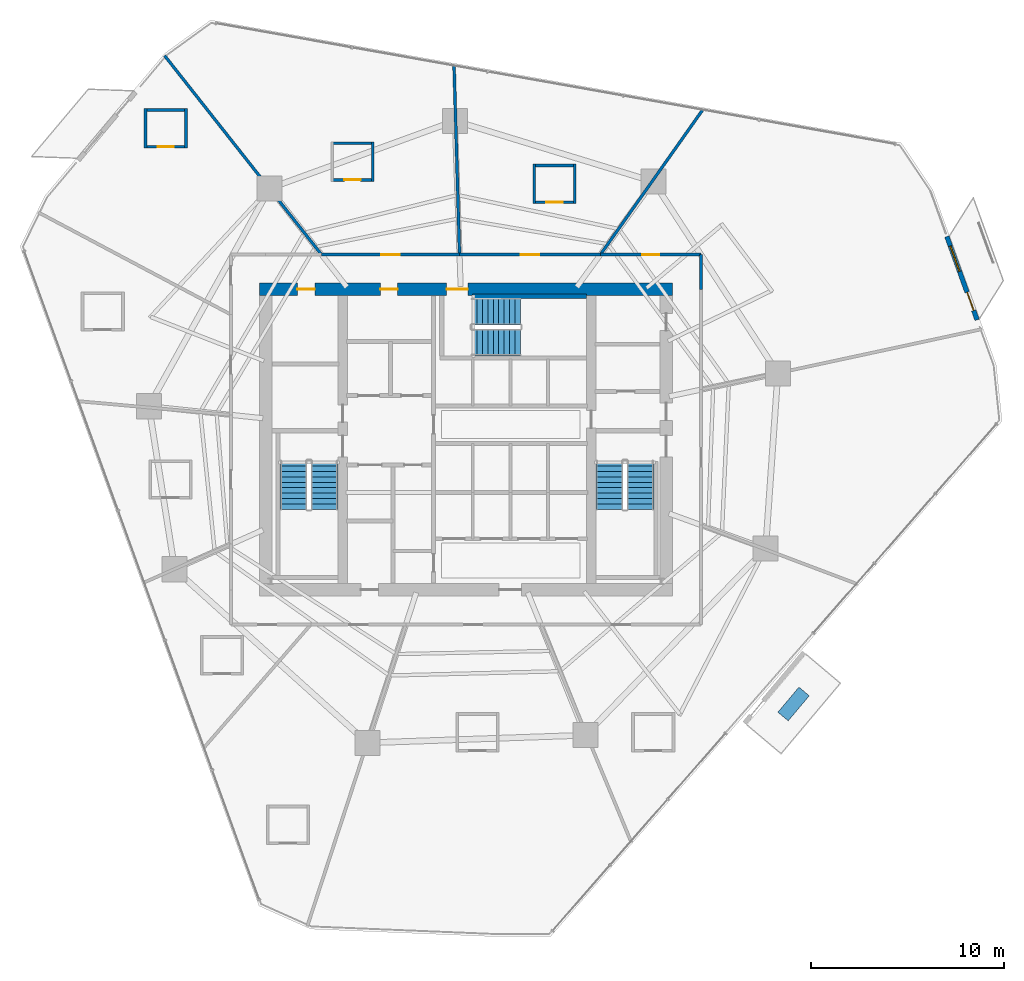
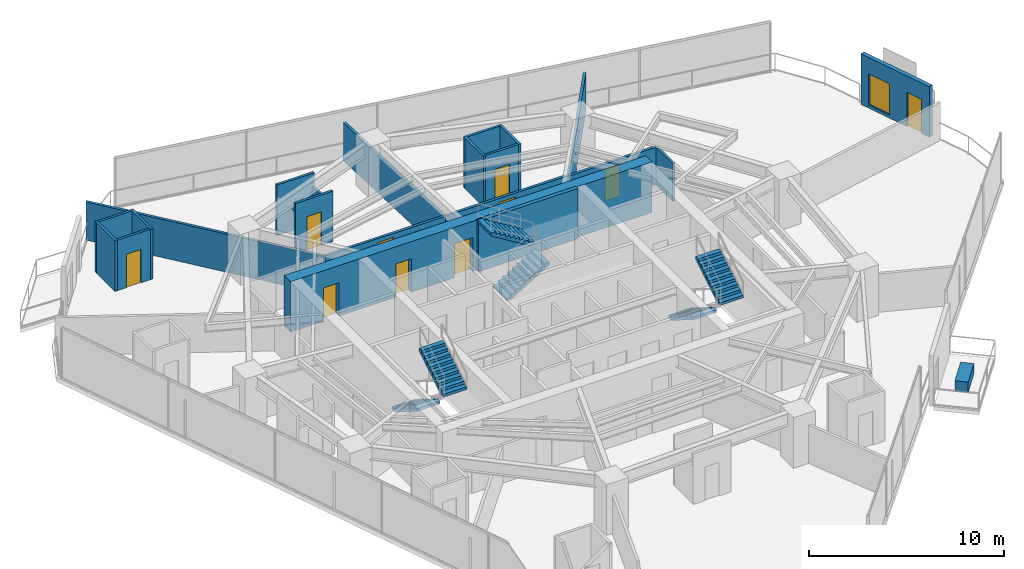
# One storey, part 29 of 33: 21 walls, 10 doors, 6 stair flights, 1 discrete accessory, 1 window, 11 openings, 3 elements without a shape of their own.
"""IFC4 building model written with IfcOpenShell, lengths in metres."""

from ifc_helpers import new_model, si_unit, direction, frame, frame_2d, origin, origin_2d, place, context, subcontext, project, spatial, polyline, rectangle, outline, extrude, material, layer, layer_set, type_object, element, fill, aggregate, save


model = new_model("IFC4")

# Units and contexts
model_context = context("Model", 3, precision=1e-05, world=origin(), true_north=direction((0.0, 1.0)))
body_context = subcontext(model_context, "Body", "Model", "MODEL_VIEW")
ifc_project = project(units=[si_unit("LENGTHUNIT", "METRE"), si_unit("AREAUNIT", "SQUARE_METRE"), si_unit("VOLUMEUNIT", "CUBIC_METRE"), si_unit("PLANEANGLEUNIT", "RADIAN"), si_unit("MASSUNIT", "GRAM", prefix="KILO")], contexts=[model_context])

# Site, building, storey
site_placement = place(None, origin())
site = spatial("IfcSite", under=ifc_project, at=site_placement, CompositionType="ELEMENT")
building_placement = place(site_placement, origin())
building = spatial("IfcBuilding", under=site, at=building_placement, Name="Qarnah Convention Tower", CompositionType="ELEMENT")
storey_placement = place(building_placement, frame((0.0, 0.0, 30.449951171875)))
storey = spatial("IfcBuildingStorey", under=building, at=storey_placement, Name="L06", CompositionType="ELEMENT", Elevation=30.449951171875)

# Wall, openings, doors
ifc_material_1 = material(Name="Concrete C60/75", Category="concrete")
ifc_layer_1 = layer(ifc_material_1, 0.64990234375)
ifc_layer_set_1 = layer_set([ifc_layer_1], Name="Concrete C60/75")
wall_type_1 = type_object("IfcWallType", Name="WL-CORE-650", PredefinedType="SHEAR", material=ifc_layer_set_1)
wall_1_placement = place(storey_placement, frame((26.47509765625, 34.199951171875, 0.0), z_axis=(0.0, 0.0, 1.0), x_axis=(1.0, 0.0, 0.0)))
wall_1 = element("IfcWall", 1, at=wall_1_placement, inside=storey, type_object=wall_type_1, Name="L06 core north shear wall", PredefinedType="SHEAR", context=body_context, shape_type="SweptSolid", body=[
    extrude(rectangle(XDim=21.449951171875, YDim=0.64990234375, at=frame_2d((10.72509765625, 0.0))), origin(), (0.0, 0.0, 1.0), 3.170166015625),
])
opening_1_placement = place(wall_1_placement, frame((9.72509765625, 0.0, 0.0)))
opening_1 = element("IfcOpeningElement", 2, at=opening_1_placement, cuts=wall_1, Name="Opening D-0603", PredefinedType="OPENING", context=body_context, shape_type="SweptSolid", body=[
    extrude(rectangle(XDim=1.10009765625, YDim=2.14990234375, at=frame_2d((0.550048828125, 1.074951171875))), frame((0.0, 0.3349609375, 0.0), z_axis=(0.0, -1.0, 0.0), x_axis=(1.0, 0.0, 0.0)), (0.0, 0.0, 1.0), 0.669921875),
])
opening_2_placement = place(wall_1_placement, frame((1.97509765625, 0.0, 0.0)))
opening_2 = element("IfcOpeningElement", 3, at=opening_2_placement, cuts=wall_1, Name="Opening D-0609", PredefinedType="OPENING", context=body_context, shape_type="SweptSolid", body=[
    extrude(rectangle(XDim=0.89990234375, YDim=2.10009765625, at=frame_2d((0.449951171875, 1.050048828125))), frame((0.0, 0.3349609375, 0.0), z_axis=(0.0, -1.0, 0.0), x_axis=(1.0, 0.0, 0.0)), (0.0, 0.0, 1.0), 0.669921875),
])
opening_3_placement = place(wall_1_placement, frame((6.27490234375, 0.0, 0.0)))
opening_3 = element("IfcOpeningElement", 4, at=opening_3_placement, cuts=wall_1, Name="Opening D-0610", PredefinedType="OPENING", context=body_context, shape_type="SweptSolid", body=[
    extrude(rectangle(XDim=0.89990234375, YDim=2.10009765625, at=frame_2d((0.449951171875, 1.050048828125))), frame((0.0, 0.3349609375, 0.0), z_axis=(0.0, -1.0, 0.0), x_axis=(1.0, 0.0, 0.0)), (0.0, 0.0, 1.0), 0.669921875),
])
ifc_material_2 = material(Name="Structural steel S355JR", Category="steel")
door_type_1 = type_object("IfcDoorType", Name="DT-RISER-900", OperationType="NOTDEFINED", PredefinedType="DOOR", material=ifc_material_2)
door_1_placement = place(opening_2_placement, origin())
door_1 = element("IfcDoor", 5, at=door_1_placement, inside=storey, type_object=door_type_1, Name="Door D-0609", OperationType="SINGLE_SWING_RIGHT", OverallHeight=2.10009765625, OverallWidth=0.89990234375, PredefinedType="DOOR", context=body_context, shape_type="SweptSolid", body=[
    extrude(rectangle(XDim=0.89990234375, YDim=2.10009765625, at=frame_2d((0.449951171875, 1.050048828125))), frame((0.0, 0.02490234375, 0.0), z_axis=(0.0, -1.0, 0.0), x_axis=(1.0, 0.0, 0.0)), (0.0, 0.0, 1.0), 0.050048828125),
])
fill(opening_2, door_1)
door_2_placement = place(opening_3_placement, origin())
door_2 = element("IfcDoor", 6, at=door_2_placement, inside=storey, type_object=door_type_1, Name="Door D-0610", OperationType="SINGLE_SWING_LEFT", OverallHeight=2.10009765625, OverallWidth=0.89990234375, PredefinedType="DOOR", context=body_context, shape_type="SweptSolid", body=[
    extrude(rectangle(XDim=0.89990234375, YDim=2.10009765625, at=frame_2d((0.449951171875, 1.050048828125))), frame((0.0, 0.02490234375, 0.0), z_axis=(0.0, -1.0, 0.0), x_axis=(1.0, 0.0, 0.0)), (0.0, 0.0, 1.0), 0.050048828125),
])
fill(opening_3, door_2)
door_type_2 = type_object("IfcDoorType", Name="DT-STAIR-1100", OperationType="NOTDEFINED", PredefinedType="DOOR", material=ifc_material_2)
door_3_placement = place(opening_1_placement, origin())
door_3 = element("IfcDoor", 7, at=door_3_placement, inside=storey, type_object=door_type_2, Name="Door D-0603", OperationType="SINGLE_SWING_RIGHT", OverallHeight=2.14990234375, OverallWidth=1.10009765625, PredefinedType="DOOR", context=body_context, shape_type="SweptSolid", body=[
    extrude(rectangle(XDim=1.10009765625, YDim=2.14990234375, at=frame_2d((0.550048828125, 1.074951171875))), frame((0.0, 0.02490234375, 0.0), z_axis=(0.0, -1.0, 0.0), x_axis=(1.0, 0.0, 0.0)), (0.0, 0.0, 1.0), 0.050048828125),
])
fill(opening_1, door_3)

# Wall
ifc_layer_2 = layer(ifc_material_1, 0.219970703125)
ifc_layer_set_2 = layer_set([ifc_layer_2], Name="Concrete C60/75")
wall_type_2 = type_object("IfcWallType", Name="WL-CORE-STAIR-220", PredefinedType="SHEAR", material=ifc_layer_set_2)
wall_2_placement = place(storey_placement, frame((37.550048828125, 33.840087890625, 0.0), z_axis=(0.0, 0.0, 1.0), x_axis=(1.0, 0.0, 0.0)))
element("IfcWall", 8, at=wall_2_placement, inside=storey, type_object=wall_type_2, Name="L06 stair shaft shear wall SW-L06-ST3N", PredefinedType="SHEAR", context=body_context, shape_type="SweptSolid", body=[
    extrude(rectangle(XDim=5.89990234375, YDim=0.219970703125, at=frame_2d((2.949951171875, 0.0))), origin(), (0.0, 0.0, 1.0), 3.170166015625),
])

# Wall, openings, door, window
ifc_material_3 = material(Name="Precast concrete C45/55", Category="concrete")
ifc_layer_3 = layer(ifc_material_3, 0.239990234375)
ifc_layer_set_3 = layer_set([ifc_layer_3], Name="Precast concrete C45/55")
wall_type_3 = type_object("IfcWallType", Name="WL-EXT-BAL-240", PredefinedType="SOLIDWALL", material=ifc_layer_set_3)
wall_3_placement = place(storey_placement, frame((62.162109375, 36.93896484375, 0.0), z_axis=(0.0, 0.0, 1.0), x_axis=(0.340813981709, -0.940130751476, 0.0)))
wall_3 = element("IfcWall", 9, at=wall_3_placement, inside=storey, type_object=wall_type_3, Name="L06 loggia threshold wall BAL-L06-C1", PredefinedType="SOLIDWALL", context=body_context, shape_type="SweptSolid", body=[
    extrude(rectangle(XDim=4.600341796875, YDim=0.239990234375, at=frame_2d((2.30029296875, 0.0))), origin(), (0.0, 0.0, 1.0), 3.170166015625),
])
opening_4_placement = place(wall_3_placement, frame((3.080078125, 0.0, 0.0)))
opening_4 = element("IfcOpeningElement", 10, at=opening_4_placement, cuts=wall_3, Name="Opening BD-0601", PredefinedType="OPENING", context=body_context, shape_type="SweptSolid", body=[
    extrude(rectangle(XDim=1.0, YDim=2.14990234375, at=frame_2d((0.5, 1.074951171875))), frame((0.0, 0.1298828125, 0.0), z_axis=(0.0, -1.0, 0.0), x_axis=(1.0, 0.0, 0.0)), (0.0, 0.0, 1.0), 0.260009765625),
])
opening_5_placement = place(wall_3_placement, frame((0.52001953125, 0.0, 0.199951171875)))
opening_5 = element("IfcOpeningElement", 11, at=opening_5_placement, cuts=wall_3, Name="Opening WN4", PredefinedType="OPENING", context=body_context, shape_type="SweptSolid", body=[
    extrude(rectangle(XDim=1.39990234375, YDim=1.949951171875, at=frame_2d((0.699951171875, 0.97509765625))), frame((0.0, 0.1298828125, 0.0), z_axis=(0.0, -1.0, 0.0), x_axis=(1.0, 0.0, 0.0)), (0.0, 0.0, 1.0), 0.260009765625),
])
ifc_material_4 = material(Name="Black anodised aluminium", Category="aluminium")
door_type_3 = type_object("IfcDoorType", Name="DT-BAL-1000", OperationType="NOTDEFINED", PredefinedType="DOOR", material=ifc_material_4)
door_4_placement = place(opening_4_placement, origin())
door_4 = element("IfcDoor", 12, at=door_4_placement, inside=storey, type_object=door_type_3, Name="L06 balcony terrace door BAL-L06-C1", OperationType="SINGLE_SWING_RIGHT", OverallHeight=2.14990234375, OverallWidth=1.0, PredefinedType="DOOR", context=body_context, shape_type="SweptSolid", body=[
    extrude(rectangle(XDim=1.0, YDim=2.14990234375, at=frame_2d((0.5, 1.074951171875))), frame((0.0, 0.02490234375, 0.0), z_axis=(0.0, -1.0, 0.0), x_axis=(1.0, 0.0, 0.0)), (0.0, 0.0, 1.0), 0.050048828125),
])
fill(opening_4, door_4)
ifc_material_5 = material(Name="Tempered Low-E dark glass", Category="glass")
window_type = type_object("IfcWindowType", Name="WT-BAL-1400X2000", PartitioningType="SINGLE_PANEL", PredefinedType="WINDOW", material=ifc_material_5)
window_placement = place(opening_5_placement, origin())
window = element("IfcWindow", 13, at=window_placement, inside=storey, type_object=window_type, Name="Window BW-BAL-L06-C1", OverallHeight=1.949951171875, OverallWidth=1.39990234375, PartitioningType="SINGLE_PANEL", PredefinedType="WINDOW", context=body_context, shape_type="SweptSolid", body=[
    extrude(rectangle(XDim=1.39990234375, YDim=1.949951171875, at=frame_2d((0.699951171875, 0.97509765625))), frame((0.0, 0.030029296875, 0.0), z_axis=(0.0, -1.0, 0.0), x_axis=(1.0, 0.0, 0.0)), (0.0, 0.0, 1.0), 0.06005859375),
])
fill(opening_5, window)

# Wall
ifc_material_6 = material(Name="Gypsum partition board")
ifc_layer_4 = layer(ifc_material_6, 0.14990234375)
ifc_layer_set_4 = layer_set([ifc_layer_4], Name="Gypsum partition board")
wall_type_4 = type_object("IfcWallType", Name="WL-SUITE-150", PredefinedType="PARTITIONING", material=ifc_layer_set_4)
wall_4_placement = place(storey_placement, frame((49.51708984375, 43.56005859375, 0.0), z_axis=(0.0, 0.0, 1.0), x_axis=(-0.577081779109, -0.816686365884, 0.0)))
element("IfcWall", 14, at=wall_4_placement, inside=storey, type_object=wall_type_4, Name="L06 interior wall IW-L06-R-37", PredefinedType="PARTITIONING", context=body_context, shape_type="SweptSolid", body=[
    extrude(rectangle(XDim=9.257080078125, YDim=0.14990234375, at=frame_2d((4.62841796875, 0.0))), origin(), (0.0, 0.0, 1.0), 2.39501953125),
])

# Wall, opening, door
wall_5_placement = place(storey_placement, frame((44.175048828125, 36.0, 0.0), z_axis=(0.0, 0.0, 1.0), x_axis=(1.0, 0.0, 0.0)))
wall_5 = element("IfcWall", 15, at=wall_5_placement, inside=storey, type_object=wall_type_4, Name="L06 interior wall IW-L06-R-38", PredefinedType="PARTITIONING", context=body_context, shape_type="SweptSolid", body=[
    extrude(rectangle(XDim=5.224853515625, YDim=0.14990234375, at=frame_2d((2.6123046875, 0.0))), origin(), (0.0, 0.0, 1.0), 2.35498046875),
])
opening_6_placement = place(wall_5_placement, frame((2.1630859375, 0.0, 0.0)))
opening_6 = element("IfcOpeningElement", 16, at=opening_6_placement, cuts=wall_5, Name="Opening D-0616", PredefinedType="OPENING", context=body_context, shape_type="SweptSolid", body=[
    extrude(rectangle(XDim=0.89990234375, YDim=2.0, at=frame_2d((0.449951171875, 1.0))), frame((0.0, 0.0849609375, 0.0), z_axis=(0.0, -1.0, 0.0), x_axis=(1.0, 0.0, 0.0)), (0.0, 0.0, 1.0), 0.169921875),
])
door_type_4 = type_object("IfcDoorType", Name="DT-PLANT-900", OperationType="NOTDEFINED", PredefinedType="DOOR", material=ifc_material_2)
door_5_placement = place(opening_6_placement, origin())
door_5 = element("IfcDoor", 17, at=door_5_placement, inside=storey, type_object=door_type_4, Name="Door D-0616", OperationType="SINGLE_SWING_LEFT", OverallHeight=2.0, OverallWidth=0.89990234375, PredefinedType="DOOR", context=body_context, shape_type="SweptSolid", body=[
    extrude(rectangle(XDim=0.89990234375, YDim=2.0, at=frame_2d((0.449951171875, 1.0))), frame((0.0, 0.02490234375, 0.0), z_axis=(0.0, -1.0, 0.0), x_axis=(1.0, 0.0, 0.0)), (0.0, 0.0, 1.0), 0.050048828125),
])
fill(opening_6, door_5)

# Walls
wall_6_placement = place(storey_placement, frame((49.39990234375, 36.0, 0.0), z_axis=(0.0, 0.0, 1.0), x_axis=(0.0, -1.0, 0.0)))
element("IfcWall", 18, at=wall_6_placement, inside=storey, type_object=wall_type_4, Name="L06 interior wall IW-L06-R-39", PredefinedType="PARTITIONING", context=body_context, shape_type="SweptSolid", body=[
    extrude(rectangle(XDim=1.800048828125, YDim=0.14990234375, at=frame_2d((0.89990234375, 0.0))), origin(), (0.0, 0.0, 1.0), 2.35498046875),
])
wall_7_placement = place(storey_placement, frame((36.5791015625, 45.85400390625, 0.0), z_axis=(0.0, 0.0, 1.0), x_axis=(0.029000234947, -0.999579404736, 0.0)))
element("IfcWall", 19, at=wall_7_placement, inside=storey, type_object=wall_type_4, Name="L06 interior wall IW-L06-R-42", PredefinedType="PARTITIONING", context=body_context, shape_type="SweptSolid", body=[
    extrude(rectangle(XDim=9.858154296875, YDim=0.14990234375, at=frame_2d((4.92919921875, 0.0))), origin(), (0.0, 0.0, 1.0), 2.39501953125),
])

# Wall, opening, door
wall_8_placement = place(storey_placement, frame((36.864990234375, 36.0, 0.0), z_axis=(0.0, 0.0, 1.0), x_axis=(1.0, 0.0, 0.0)))
wall_8 = element("IfcWall", 20, at=wall_8_placement, inside=storey, type_object=wall_type_4, Name="L06 interior wall IW-L06-R-43", PredefinedType="PARTITIONING", context=body_context, shape_type="SweptSolid", body=[
    extrude(rectangle(XDim=7.31005859375, YDim=0.14990234375, at=frame_2d((3.655029296875, 0.0))), origin(), (0.0, 0.0, 1.0), 2.39501953125),
])
opening_7_placement = place(wall_8_placement, frame((3.179931640625, 0.0, 0.0)))
opening_7 = element("IfcOpeningElement", 21, at=opening_7_placement, cuts=wall_8, Name="Opening D-0617", PredefinedType="OPENING", context=body_context, shape_type="SweptSolid", body=[
    extrude(rectangle(XDim=0.949951171875, YDim=2.14990234375, at=frame_2d((0.47509765625, 1.074951171875))), frame((0.0, 0.0849609375, 0.0), z_axis=(0.0, -1.0, 0.0), x_axis=(1.0, 0.0, 0.0)), (0.0, 0.0, 1.0), 0.169921875),
])
ifc_material_7 = material(Name="Oak timber veneer", Category="wood")
door_type_5 = type_object("IfcDoorType", Name="DT-HOTEL-950", OperationType="NOTDEFINED", PredefinedType="DOOR", material=ifc_material_7)
door_6_placement = place(opening_7_placement, origin())
door_6 = element("IfcDoor", 22, at=door_6_placement, inside=storey, type_object=door_type_5, Name="Door D-0617", OperationType="SINGLE_SWING_RIGHT", OverallHeight=2.14990234375, OverallWidth=0.949951171875, PredefinedType="DOOR", context=body_context, shape_type="SweptSolid", body=[
    extrude(rectangle(XDim=0.949951171875, YDim=2.14990234375, at=frame_2d((0.47509765625, 1.074951171875))), frame((0.0, 0.02490234375, 0.0), z_axis=(0.0, -1.0, 0.0), x_axis=(1.0, 0.0, 0.0)), (0.0, 0.0, 1.0), 0.050048828125),
])
fill(opening_7, door_6)

# Wall
wall_9_placement = place(storey_placement, frame((21.55908203125, 46.325927734375, 0.0), z_axis=(0.0, 0.0, 1.0), x_axis=(0.619120405931, -0.78529607344, 0.0)))
element("IfcWall", 23, at=wall_9_placement, inside=storey, type_object=wall_type_4, Name="L06 interior wall IW-L06-R-44", PredefinedType="PARTITIONING", context=body_context, shape_type="SweptSolid", body=[
    extrude(rectangle(XDim=13.149169921875, YDim=0.14990234375, at=frame_2d((6.57470703125, 0.0))), origin(), (0.0, 0.0, 1.0), 2.39501953125),
])

# Wall, opening, door
wall_10_placement = place(storey_placement, frame((29.699951171875, 36.0, 0.0), z_axis=(0.0, 0.0, 1.0), x_axis=(1.0, 0.0, 0.0)))
wall_10 = element("IfcWall", 24, at=wall_10_placement, inside=storey, type_object=wall_type_4, Name="L06 interior wall IW-L06-R-45", PredefinedType="PARTITIONING", context=body_context, shape_type="SweptSolid", body=[
    extrude(rectangle(XDim=7.1650390625, YDim=0.14990234375, at=frame_2d((3.58251953125, 0.0))), origin(), (0.0, 0.0, 1.0), 2.39501953125),
])
opening_8_placement = place(wall_10_placement, frame((3.10791015625, 0.0, 0.0)))
opening_8 = element("IfcOpeningElement", 25, at=opening_8_placement, cuts=wall_10, Name="Opening D-0619", PredefinedType="OPENING", context=body_context, shape_type="SweptSolid", body=[
    extrude(rectangle(XDim=0.949951171875, YDim=2.14990234375, at=frame_2d((0.47509765625, 1.074951171875))), frame((0.0, 0.0849609375, 0.0), z_axis=(0.0, -1.0, 0.0), x_axis=(1.0, 0.0, 0.0)), (0.0, 0.0, 1.0), 0.169921875),
])
door_7_placement = place(opening_8_placement, origin())
door_7 = element("IfcDoor", 26, at=door_7_placement, inside=storey, type_object=door_type_5, Name="Door D-0619", OperationType="SINGLE_SWING_RIGHT", OverallHeight=2.14990234375, OverallWidth=0.949951171875, PredefinedType="DOOR", context=body_context, shape_type="SweptSolid", body=[
    extrude(rectangle(XDim=0.949951171875, YDim=2.14990234375, at=frame_2d((0.47509765625, 1.074951171875))), frame((0.0, 0.02490234375, 0.0), z_axis=(0.0, -1.0, 0.0), x_axis=(1.0, 0.0, 0.0)), (0.0, 0.0, 1.0), 0.050048828125),
])
fill(opening_8, door_7)

ifc_layer_5 = layer(ifc_material_6, 0.139892578125)
ifc_layer_set_5 = layer_set([ifc_layer_5], Name="Gypsum partition board")
wall_type_5 = type_object("IfcWallType", Name="WL-WET-140", PredefinedType="PARTITIONING", material=ifc_layer_set_5)
wall_11_placement = place(storey_placement, frame((40.6708984375, 38.72509765625, 0.0), z_axis=(0.0, 0.0, 1.0), x_axis=(1.0, 0.0, 0.0)))
wall_11 = element("IfcWall", 27, at=wall_11_placement, inside=storey, type_object=wall_type_5, Name="L06 interior wall IW-L06-ENS01-1", PredefinedType="PARTITIONING", context=body_context, shape_type="SweptSolid", body=[
    extrude(rectangle(XDim=2.239990234375, YDim=0.139892578125, at=frame_2d((1.1201171875, 0.0))), origin(), (0.0, 0.0, 1.0), 3.170166015625),
])
opening_9_placement = place(wall_11_placement, frame((0.695068359375, 0.0, 0.0)))
opening_9 = element("IfcOpeningElement", 28, at=opening_9_placement, cuts=wall_11, Name="Opening D-0618", PredefinedType="OPENING", context=body_context, shape_type="SweptSolid", body=[
    extrude(rectangle(XDim=0.85009765625, YDim=2.10009765625, at=frame_2d((0.425048828125, 1.050048828125))), frame((0.0, 0.079833984375, 0.0), z_axis=(0.0, -1.0, 0.0), x_axis=(1.0, 0.0, 0.0)), (0.0, 0.0, 1.0), 0.159912109375),
])
door_type_6 = type_object("IfcDoorType", Name="DT-BATH-850", OperationType="NOTDEFINED", PredefinedType="DOOR", material=ifc_material_7)
door_8_placement = place(opening_9_placement, origin())
door_8 = element("IfcDoor", 29, at=door_8_placement, inside=storey, type_object=door_type_6, Name="Door D-0618", OperationType="SINGLE_SWING_LEFT", OverallHeight=2.10009765625, OverallWidth=0.85009765625, PredefinedType="DOOR", context=body_context, shape_type="SweptSolid", body=[
    extrude(rectangle(XDim=0.85009765625, YDim=2.10009765625, at=frame_2d((0.425048828125, 1.050048828125))), frame((0.0, 0.02490234375, 0.0), z_axis=(0.0, -1.0, 0.0), x_axis=(1.0, 0.0, 0.0)), (0.0, 0.0, 1.0), 0.050048828125),
])
fill(opening_9, door_8)

# Walls
wall_12_placement = place(storey_placement, frame((42.841064453125, 38.655029296875, 0.0), z_axis=(0.0, 0.0, 1.0), x_axis=(0.0, 1.0, 0.0)))
element("IfcWall", 30, at=wall_12_placement, inside=storey, type_object=wall_type_5, Name="L06 interior wall IW-L06-ENS01-2", PredefinedType="PARTITIONING", context=body_context, shape_type="SweptSolid", body=[
    extrude(rectangle(XDim=2.0400390625, YDim=0.139892578125, at=frame_2d((1.02001953125, 0.0))), origin(), (0.0, 0.0, 1.0), 3.170166015625),
])
wall_13_placement = place(storey_placement, frame((42.910888671875, 40.625, 0.0), z_axis=(0.0, 0.0, 1.0), x_axis=(-1.0, 0.0, 0.0)))
element("IfcWall", 31, at=wall_13_placement, inside=storey, type_object=wall_type_5, Name="L06 interior wall IW-L06-ENS01-3", PredefinedType="PARTITIONING", context=body_context, shape_type="SweptSolid", body=[
    extrude(rectangle(XDim=2.239990234375, YDim=0.139892578125, at=frame_2d((1.1201171875, 0.0))), origin(), (0.0, 0.0, 1.0), 3.170166015625),
])
wall_14_placement = place(storey_placement, frame((40.740966796875, 40.695068359375, 0.0), z_axis=(0.0, 0.0, 1.0), x_axis=(0.0, -1.0, 0.0)))
element("IfcWall", 32, at=wall_14_placement, inside=storey, type_object=wall_type_5, Name="L06 interior wall IW-L06-ENS01-4", PredefinedType="PARTITIONING", context=body_context, shape_type="SweptSolid", body=[
    extrude(rectangle(XDim=2.0400390625, YDim=0.139892578125, at=frame_2d((1.02001953125, 0.0))), origin(), (0.0, 0.0, 1.0), 3.170166015625),
])

# Wall, opening, door
wall_15_placement = place(storey_placement, frame((30.19091796875, 39.87890625, 0.0), z_axis=(0.0, 0.0, 1.0), x_axis=(1.0, 0.0, 0.0)))
wall_15 = element("IfcWall", 33, at=wall_15_placement, inside=storey, type_object=wall_type_5, Name="L06 interior wall IW-L06-ENS02-1", PredefinedType="PARTITIONING", context=body_context, shape_type="SweptSolid", body=[
    extrude(rectangle(XDim=2.239990234375, YDim=0.139892578125, at=frame_2d((1.1201171875, 0.0))), origin(), (0.0, 0.0, 1.0), 3.170166015625),
])
opening_10_placement = place(wall_15_placement, frame((0.695068359375, 0.0, 0.0)))
opening_10 = element("IfcOpeningElement", 34, at=opening_10_placement, cuts=wall_15, Name="Opening D-0620", PredefinedType="OPENING", context=body_context, shape_type="SweptSolid", body=[
    extrude(rectangle(XDim=0.85009765625, YDim=2.10009765625, at=frame_2d((0.425048828125, 1.050048828125))), frame((0.0, 0.079833984375, 0.0), z_axis=(0.0, -1.0, 0.0), x_axis=(1.0, 0.0, 0.0)), (0.0, 0.0, 1.0), 0.159912109375),
])
door_9_placement = place(opening_10_placement, origin())
door_9 = element("IfcDoor", 35, at=door_9_placement, inside=storey, type_object=door_type_6, Name="Door D-0620", OperationType="SINGLE_SWING_LEFT", OverallHeight=2.10009765625, OverallWidth=0.85009765625, PredefinedType="DOOR", context=body_context, shape_type="SweptSolid", body=[
    extrude(rectangle(XDim=0.85009765625, YDim=2.10009765625, at=frame_2d((0.425048828125, 1.050048828125))), frame((0.0, 0.02490234375, 0.0), z_axis=(0.0, -1.0, 0.0), x_axis=(1.0, 0.0, 0.0)), (0.0, 0.0, 1.0), 0.050048828125),
])
fill(opening_10, door_9)

# Walls
wall_16_placement = place(storey_placement, frame((32.361083984375, 39.80908203125, 0.0), z_axis=(0.0, 0.0, 1.0), x_axis=(0.0, 1.0, 0.0)))
element("IfcWall", 36, at=wall_16_placement, inside=storey, type_object=wall_type_5, Name="L06 interior wall IW-L06-ENS02-2", PredefinedType="PARTITIONING", context=body_context, shape_type="SweptSolid", body=[
    extrude(rectangle(XDim=2.0400390625, YDim=0.139892578125, at=frame_2d((1.02001953125, 0.0))), origin(), (0.0, 0.0, 1.0), 2.35498046875),
])
wall_17_placement = place(storey_placement, frame((32.430908203125, 41.779052734375, 0.0), z_axis=(0.0, 0.0, 1.0), x_axis=(-1.0, 0.0, 0.0)))
element("IfcWall", 37, at=wall_17_placement, inside=storey, type_object=wall_type_5, Name="L06 interior wall IW-L06-ENS02-3", PredefinedType="PARTITIONING", context=body_context, shape_type="SweptSolid", body=[
    extrude(rectangle(XDim=2.239990234375, YDim=0.139892578125, at=frame_2d((1.1201171875, 0.0))), origin(), (0.0, 0.0, 1.0), 3.170166015625),
])

# Wall, opening, door
wall_18_placement = place(storey_placement, frame((20.493896484375, 41.60595703125, 0.0), z_axis=(0.0, 0.0, 1.0), x_axis=(1.0, 0.0, 0.0)))
wall_18 = element("IfcWall", 38, at=wall_18_placement, inside=storey, type_object=wall_type_5, Name="L06 interior wall IW-L06-ENS03-1", PredefinedType="PARTITIONING", context=body_context, shape_type="SweptSolid", body=[
    extrude(rectangle(XDim=2.239990234375, YDim=0.139892578125, at=frame_2d((1.1201171875, 0.0))), origin(), (0.0, 0.0, 1.0), 3.170166015625),
])
opening_11_placement = place(wall_18_placement, frame((0.695068359375, 0.0, 0.0)))
opening_11 = element("IfcOpeningElement", 39, at=opening_11_placement, cuts=wall_18, Name="Opening D-0622", PredefinedType="OPENING", context=body_context, shape_type="SweptSolid", body=[
    extrude(rectangle(XDim=0.85009765625, YDim=2.10009765625, at=frame_2d((0.425048828125, 1.050048828125))), frame((0.0, 0.079833984375, 0.0), z_axis=(0.0, -1.0, 0.0), x_axis=(1.0, 0.0, 0.0)), (0.0, 0.0, 1.0), 0.159912109375),
])
door_10_placement = place(opening_11_placement, origin())
door_10 = element("IfcDoor", 40, at=door_10_placement, inside=storey, type_object=door_type_6, Name="Door D-0622", OperationType="SINGLE_SWING_LEFT", OverallHeight=2.10009765625, OverallWidth=0.85009765625, PredefinedType="DOOR", context=body_context, shape_type="SweptSolid", body=[
    extrude(rectangle(XDim=0.85009765625, YDim=2.10009765625, at=frame_2d((0.425048828125, 1.050048828125))), frame((0.0, 0.02490234375, 0.0), z_axis=(0.0, -1.0, 0.0), x_axis=(1.0, 0.0, 0.0)), (0.0, 0.0, 1.0), 0.050048828125),
])
fill(opening_11, door_10)

# Walls
wall_19_placement = place(storey_placement, frame((22.6640625, 41.535888671875, 0.0), z_axis=(0.0, 0.0, 1.0), x_axis=(0.0, 1.0, 0.0)))
element("IfcWall", 41, at=wall_19_placement, inside=storey, type_object=wall_type_5, Name="L06 interior wall IW-L06-ENS03-2", PredefinedType="PARTITIONING", context=body_context, shape_type="SweptSolid", body=[
    extrude(rectangle(XDim=2.0400390625, YDim=0.139892578125, at=frame_2d((1.02001953125, 0.0))), origin(), (0.0, 0.0, 1.0), 3.170166015625),
])
wall_20_placement = place(storey_placement, frame((22.73388671875, 43.506103515625, 0.0), z_axis=(0.0, 0.0, 1.0), x_axis=(-1.0, 0.0, 0.0)))
element("IfcWall", 42, at=wall_20_placement, inside=storey, type_object=wall_type_5, Name="L06 interior wall IW-L06-ENS03-3", PredefinedType="PARTITIONING", context=body_context, shape_type="SweptSolid", body=[
    extrude(rectangle(XDim=2.239990234375, YDim=0.139892578125, at=frame_2d((1.1201171875, 0.0))), origin(), (0.0, 0.0, 1.0), 3.170166015625),
])
wall_21_placement = place(storey_placement, frame((20.56396484375, 43.575927734375, 0.0), z_axis=(0.0, 0.0, 1.0), x_axis=(0.0, -1.0, 0.0)))
element("IfcWall", 43, at=wall_21_placement, inside=storey, type_object=wall_type_5, Name="L06 interior wall IW-L06-ENS03-4", PredefinedType="PARTITIONING", context=body_context, shape_type="SweptSolid", body=[
    extrude(rectangle(XDim=2.0400390625, YDim=0.139892578125, at=frame_2d((1.02001953125, 0.0))), origin(), (0.0, 0.0, 1.0), 3.170166015625),
])

# Stair, stair flights
ifc_material_8 = material(Name="Concrete C50/60", Category="concrete")
stair_type = type_object("IfcStairType", Name="STR-HTL", PredefinedType="HALF_TURN_STAIR", material=ifc_material_8)
stair_1_placement = place(storey_placement, origin())
stair_1 = element("IfcStair", 44, at=stair_1_placement, inside=storey, type_object=stair_type, Name="L06 Core exit stair ST-1", PredefinedType="HALF_TURN_STAIR")
stair_flight_type = type_object("IfcStairFlightType", Name="FLT-HTL", PredefinedType="STRAIGHT", material=ifc_material_8)
stair_flight_1_placement = place(storey_placement, frame((28.25, 25.300048828125, 0.0), z_axis=(0.0, 0.0, 1.0), x_axis=(0.0, -1.0, 0.0)))
stair_flight_1 = element("IfcStairFlight", 45, at=stair_flight_1_placement, type_object=stair_flight_type, Name="ST-1 flight 1", NumberOfRisers=10, NumberOfTreads=9, PredefinedType="STRAIGHT", RiserHeight=0.1725, TreadLength=0.28, context=body_context, shape_type="SweptSolid", body=[
    extrude(outline(polyline([(0.0, 0.0), (0.0, 0.172607421875), (0.280029296875, 0.172607421875), (0.280029296875, 0.344970703125), (0.56005859375, 0.344970703125), (0.56005859375, 0.517578125), (0.840087890625, 0.517578125), (0.840087890625, 0.68994140625), (1.1201171875, 0.68994140625), (1.1201171875, 0.862548828125), (1.39990234375, 0.862548828125), (1.39990234375, 1.034912109375), (1.679931640625, 1.034912109375), (1.679931640625, 1.20751953125), (1.9599609375, 1.20751953125), (1.9599609375, 1.3798828125), (2.239990234375, 1.3798828125), (2.239990234375, 1.552490234375), (2.52001953125, 1.552490234375), (2.52001953125, 1.72509765625), (2.52001953125, 1.37646484375), (0.285888671875, 0.0), (0.0, 0.0)])), frame((0.0, 0.699951171875, 0.0), z_axis=(0.0, -1.0, 0.0), x_axis=(1.0, 0.0, 0.0)), (0.0, 0.0, 1.0), 1.39990234375),
])
stair_flight_2_placement = place(storey_placement, frame((29.85009765625, 22.780029296875, 1.72509765625), z_axis=(0.0, 0.0, 1.0), x_axis=(0.0, 1.0, 0.0)))
stair_flight_2 = element("IfcStairFlight", 46, at=stair_flight_2_placement, type_object=stair_flight_type, Name="ST-1 flight 2", NumberOfRisers=10, NumberOfTreads=9, PredefinedType="STRAIGHT", RiserHeight=0.1725, TreadLength=0.28, context=body_context, shape_type="SweptSolid", body=[
    extrude(outline(polyline([(0.0, 0.0), (0.0, 0.172607421875), (0.280029296875, 0.172607421875), (0.280029296875, 0.344970703125), (0.56005859375, 0.344970703125), (0.56005859375, 0.517578125), (0.840087890625, 0.517578125), (0.840087890625, 0.68994140625), (1.1201171875, 0.68994140625), (1.1201171875, 0.862548828125), (1.39990234375, 0.862548828125), (1.39990234375, 1.034912109375), (1.679931640625, 1.034912109375), (1.679931640625, 1.20751953125), (1.9599609375, 1.20751953125), (1.9599609375, 1.3798828125), (2.239990234375, 1.3798828125), (2.239990234375, 1.552490234375), (2.52001953125, 1.552490234375), (2.52001953125, 1.72509765625), (2.52001953125, 1.37646484375), (0.285888671875, 0.0), (0.0, 0.0)])), frame((0.0, 0.699951171875, 0.0), z_axis=(0.0, -1.0, 0.0), x_axis=(1.0, 0.0, 0.0)), (0.0, 0.0, 1.0), 1.39990234375),
])
aggregate(stair_1, [stair_flight_1, stair_flight_2])

stair_2_placement = place(storey_placement, origin())
stair_2 = element("IfcStair", 47, at=stair_2_placement, inside=storey, type_object=stair_type, Name="L06 Core exit stair ST-2", PredefinedType="HALF_TURN_STAIR")
stair_flight_3_placement = place(storey_placement, frame((44.64990234375, 25.300048828125, 0.0), z_axis=(0.0, 0.0, 1.0), x_axis=(0.0, -1.0, 0.0)))
stair_flight_3 = element("IfcStairFlight", 48, at=stair_flight_3_placement, type_object=stair_flight_type, Name="ST-2 flight 1", NumberOfRisers=10, NumberOfTreads=9, PredefinedType="STRAIGHT", RiserHeight=0.1725, TreadLength=0.28, context=body_context, shape_type="SweptSolid", body=[
    extrude(outline(polyline([(0.0, 0.0), (0.0, 0.172607421875), (0.280029296875, 0.172607421875), (0.280029296875, 0.344970703125), (0.56005859375, 0.344970703125), (0.56005859375, 0.517578125), (0.840087890625, 0.517578125), (0.840087890625, 0.68994140625), (1.1201171875, 0.68994140625), (1.1201171875, 0.862548828125), (1.39990234375, 0.862548828125), (1.39990234375, 1.034912109375), (1.679931640625, 1.034912109375), (1.679931640625, 1.20751953125), (1.9599609375, 1.20751953125), (1.9599609375, 1.3798828125), (2.239990234375, 1.3798828125), (2.239990234375, 1.552490234375), (2.52001953125, 1.552490234375), (2.52001953125, 1.72509765625), (2.52001953125, 1.37646484375), (0.285888671875, 0.0), (0.0, 0.0)])), frame((0.0, 0.699951171875, 0.0), z_axis=(0.0, -1.0, 0.0), x_axis=(1.0, 0.0, 0.0)), (0.0, 0.0, 1.0), 1.39990234375),
])
stair_flight_4_placement = place(storey_placement, frame((46.25, 22.780029296875, 1.72509765625), z_axis=(0.0, 0.0, 1.0), x_axis=(0.0, 1.0, 0.0)))
stair_flight_4 = element("IfcStairFlight", 49, at=stair_flight_4_placement, type_object=stair_flight_type, Name="ST-2 flight 2", NumberOfRisers=10, NumberOfTreads=9, PredefinedType="STRAIGHT", RiserHeight=0.1725, TreadLength=0.28, context=body_context, shape_type="SweptSolid", body=[
    extrude(outline(polyline([(0.0, 0.0), (0.0, 0.172607421875), (0.280029296875, 0.172607421875), (0.280029296875, 0.344970703125), (0.56005859375, 0.344970703125), (0.56005859375, 0.517578125), (0.840087890625, 0.517578125), (0.840087890625, 0.68994140625), (1.1201171875, 0.68994140625), (1.1201171875, 0.862548828125), (1.39990234375, 0.862548828125), (1.39990234375, 1.034912109375), (1.679931640625, 1.034912109375), (1.679931640625, 1.20751953125), (1.9599609375, 1.20751953125), (1.9599609375, 1.3798828125), (2.239990234375, 1.3798828125), (2.239990234375, 1.552490234375), (2.52001953125, 1.552490234375), (2.52001953125, 1.72509765625), (2.52001953125, 1.37646484375), (0.285888671875, 0.0), (0.0, 0.0)])), frame((0.0, 0.699951171875, 0.0), z_axis=(0.0, -1.0, 0.0), x_axis=(1.0, 0.0, 0.0)), (0.0, 0.0, 1.0), 1.39990234375),
])
aggregate(stair_2, [stair_flight_3, stair_flight_4])

stair_3_placement = place(storey_placement, origin())
stair_3 = element("IfcStair", 50, at=stair_3_placement, inside=storey, type_object=stair_type, Name="L06 Core exit stair ST-3", PredefinedType="HALF_TURN_STAIR")
stair_flight_5_placement = place(storey_placement, frame((37.5, 31.449951171875, 0.0), z_axis=(0.0, 0.0, 1.0), x_axis=(1.0, 0.0, 0.0)))
stair_flight_5 = element("IfcStairFlight", 51, at=stair_flight_5_placement, type_object=stair_flight_type, Name="ST-3 flight 1", NumberOfRisers=10, NumberOfTreads=9, PredefinedType="STRAIGHT", RiserHeight=0.1725, TreadLength=0.28, context=body_context, shape_type="SweptSolid", body=[
    extrude(outline(polyline([(0.0, 0.0), (0.0, 0.172607421875), (0.280029296875, 0.172607421875), (0.280029296875, 0.344970703125), (0.56005859375, 0.344970703125), (0.56005859375, 0.517578125), (0.840087890625, 0.517578125), (0.840087890625, 0.68994140625), (1.1201171875, 0.68994140625), (1.1201171875, 0.862548828125), (1.39990234375, 0.862548828125), (1.39990234375, 1.034912109375), (1.679931640625, 1.034912109375), (1.679931640625, 1.20751953125), (1.9599609375, 1.20751953125), (1.9599609375, 1.3798828125), (2.239990234375, 1.3798828125), (2.239990234375, 1.552490234375), (2.52001953125, 1.552490234375), (2.52001953125, 1.72509765625), (2.52001953125, 1.37646484375), (0.285888671875, 0.0), (0.0, 0.0)])), frame((0.0, 0.699951171875, 0.0), z_axis=(0.0, -1.0, 0.0), x_axis=(1.0, 0.0, 0.0)), (0.0, 0.0, 1.0), 1.39990234375),
])
stair_flight_6_placement = place(storey_placement, frame((40.02001953125, 33.050048828125, 1.72509765625), z_axis=(0.0, 0.0, 1.0), x_axis=(-1.0, 0.0, 0.0)))
stair_flight_6 = element("IfcStairFlight", 52, at=stair_flight_6_placement, type_object=stair_flight_type, Name="ST-3 flight 2", NumberOfRisers=10, NumberOfTreads=9, PredefinedType="STRAIGHT", RiserHeight=0.1725, TreadLength=0.28, context=body_context, shape_type="SweptSolid", body=[
    extrude(outline(polyline([(0.0, 0.0), (0.0, 0.172607421875), (0.280029296875, 0.172607421875), (0.280029296875, 0.344970703125), (0.56005859375, 0.344970703125), (0.56005859375, 0.517578125), (0.840087890625, 0.517578125), (0.840087890625, 0.68994140625), (1.1201171875, 0.68994140625), (1.1201171875, 0.862548828125), (1.39990234375, 0.862548828125), (1.39990234375, 1.034912109375), (1.679931640625, 1.034912109375), (1.679931640625, 1.20751953125), (1.9599609375, 1.20751953125), (1.9599609375, 1.3798828125), (2.239990234375, 1.3798828125), (2.239990234375, 1.552490234375), (2.52001953125, 1.552490234375), (2.52001953125, 1.72509765625), (2.52001953125, 1.37646484375), (0.285888671875, 0.0), (0.0, 0.0)])), frame((0.0, 0.699951171875, 0.0), z_axis=(0.0, -1.0, 0.0), x_axis=(1.0, 0.0, 0.0)), (0.0, 0.0, 1.0), 1.39990234375),
])
aggregate(stair_3, [stair_flight_5, stair_flight_6])

# Discrete accessory
discrete_accessory_type = type_object("IfcDiscreteAccessoryType", Name="ACC-PLANTER-900", PredefinedType="USERDEFINED", material=ifc_material_3)
discrete_accessory_placement = place(storey_placement, frame((54.202880859375, 12.675048828125, 0.0), z_axis=(0.0, 0.0, 1.0), x_axis=(0.643723029576, 0.765258558393, 0.0)))
element("IfcDiscreteAccessory", 53, at=discrete_accessory_placement, inside=storey, type_object=discrete_accessory_type, Name="L06 irrigated desert balcony PLANTER VN-L06", ObjectType="PLANTER", PredefinedType="USERDEFINED", context=body_context, shape_type="SweptSolid", body=[
    extrude(rectangle(XDim=1.699951171875, YDim=0.699951171875, at=origin_2d()), origin(), (0.0, 0.0, 1.0), 0.64990234375),
])

save(model, "model.ifc")
